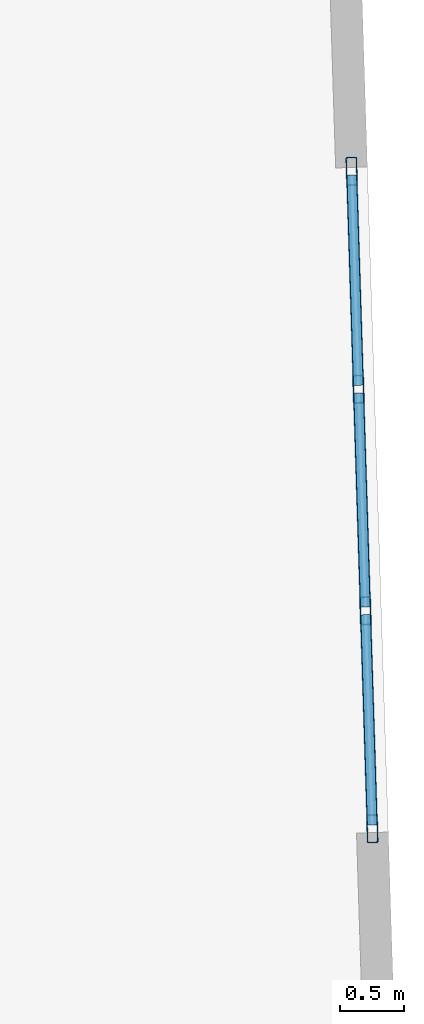
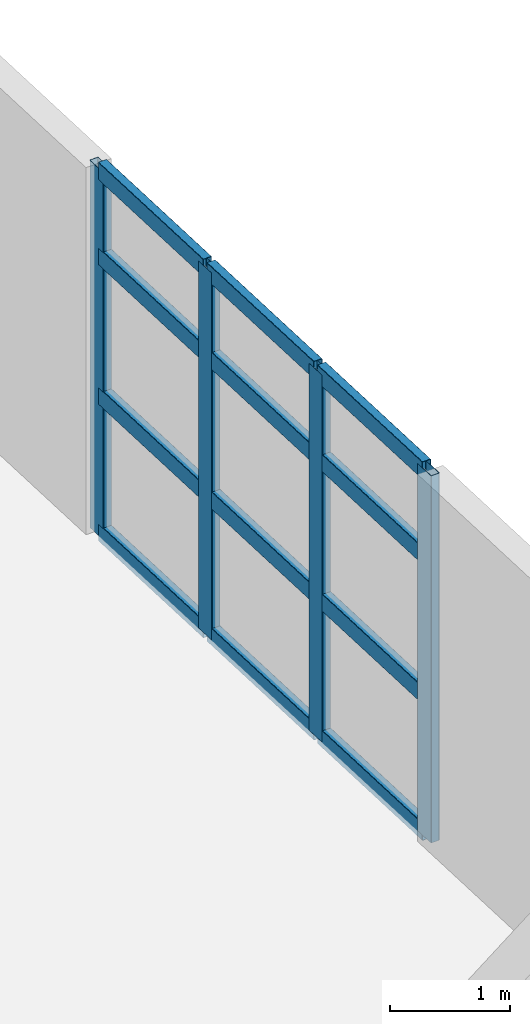
# One storey, part 6 of 18: 16 members, 1 element without a shape of its own.
"""IFC4 building model written with IfcOpenShell, lengths in metres."""

import ifcopenshell
import ifcopenshell.guid

model = None  # the IFC model being written
_history = None  # IfcOwnerHistory: only IFC2X3 demands one
_inside = {}  # id of a spatial element -> (the spatial element, [elements in it])
_under = {}  # id of a project, library or spatial element -> (it, [spatial elements below it])
_declared = {}  # id of a project -> (the project, [libraries it declares])
_typed = {}  # id of a type object -> (the type object, [elements of that type])
_made_of = {}  # id of a material, layer set ... -> (it, [elements and type objects made of it])


def new_model(schema):
    """Start an empty IFC model of exactly this schema.

    Asked for "IFC4X3", IfcOpenShell would pick the latest addendum, in which some entities
    have other attributes; the version numbers below select the first issue.
    IFC2X3 requires an IfcOwnerHistory on every rooted entity: one is made here for all.
    """
    global model, _history
    if schema == "IFC4X3":
        model = ifcopenshell.file(schema_version=(4, 3, 0, 0))
    else:
        model = ifcopenshell.file(schema=schema)
    _inside.clear()
    _under.clear()
    _declared.clear()
    _typed.clear()
    _made_of.clear()
    _history = None
    if model.schema == "IFC2X3":
        org = make("IfcOrganization", Name="unknown")
        user = make(
            "IfcPersonAndOrganization",
            ThePerson=make("IfcPerson", FamilyName="unknown"),
            TheOrganization=org,
        )
        app = make(
            "IfcApplication",
            ApplicationDeveloper=org,
            Version="unknown",
            ApplicationFullName="unknown",
            ApplicationIdentifier="unknown",
        )
        _history = make(
            "IfcOwnerHistory",
            OwningUser=user,
            OwningApplication=app,
            ChangeAction="ADDED",
            CreationDate=0,
        )
    return model


def make(cls, **values):
    """One entity of the class cls with the attributes given. An attribute that is None is left unset."""
    return model.create_entity(
        cls, **{name: value for name, value in values.items() if value is not None}
    )


def rooted(cls, **values):
    """An entity with a GlobalId (a new one), such as an element, a storey or a relation."""
    return make(cls, GlobalId=ifcopenshell.guid.new(), OwnerHistory=_history, **values)


def si_unit(unit_type, name, prefix=None):
    """IfcSIUnit, for example si_unit("LENGTHUNIT", "METRE", prefix="MILLI")."""
    return make("IfcSIUnit", UnitType=unit_type, Prefix=prefix, Name=name)


def assignment(units):
    """IfcUnitAssignment: the units of a project."""
    return None if units is None else make("IfcUnitAssignment", Units=units)


def point(xyz):
    """IfcCartesianPoint."""
    return None if xyz is None else make("IfcCartesianPoint", Coordinates=xyz)


def direction(xyz):
    """IfcDirection."""
    return None if xyz is None else make("IfcDirection", DirectionRatios=xyz)


def frame(location, z_axis=None, x_axis=None):
    """IfcAxis2Placement3D, a coordinate frame: its origin and axes. An axis left out is left unset."""
    return make(
        "IfcAxis2Placement3D",
        Location=point(location),
        Axis=direction(z_axis),
        RefDirection=direction(x_axis),
    )


def frame_2d(location, x_axis=None):
    """IfcAxis2Placement2D, a coordinate frame in the plane: its origin and x axis."""
    return make(
        "IfcAxis2Placement2D", Location=point(location), RefDirection=direction(x_axis)
    )


def origin():
    """The frame at (0, 0, 0) with its axes left unset."""
    return frame((0.0, 0.0, 0.0))


def origin_2d():
    """The frame at (0, 0) in the plane with its x axis left unset."""
    return frame_2d((0.0, 0.0))


def place(relative_to, where):
    """IfcLocalPlacement: puts the frame where relative to a parent placement (None: the world)."""
    return make(
        "IfcLocalPlacement", PlacementRelTo=relative_to, RelativePlacement=where
    )


def context(
    kind, dimensions, precision=None, world=None, true_north=None, identifier=None
):
    """IfcGeometricRepresentationContext, for example the 3D "Model" context."""
    return make(
        "IfcGeometricRepresentationContext",
        ContextIdentifier=identifier,
        ContextType=kind,
        CoordinateSpaceDimension=dimensions,
        Precision=precision,
        WorldCoordinateSystem=world,
        TrueNorth=true_north,
    )


def subcontext(parent, identifier, kind, view, scale=None):
    """IfcGeometricRepresentationSubContext, for example "Body" below "Model"."""
    return make(
        "IfcGeometricRepresentationSubContext",
        ContextIdentifier=identifier,
        ContextType=kind,
        ParentContext=parent,
        TargetScale=scale,
        TargetView=view,
    )


def project(units=None, contexts=None):
    """IfcProject with its units and contexts."""
    return rooted(
        "IfcProject",
        Name="project",
        RepresentationContexts=contexts,
        UnitsInContext=assignment(units),
    )


def spatial(cls, under=None, at=None, **own):
    """A site, building, storey or space (cls), placed at a placement, below another one or the project."""
    s = rooted(cls, ObjectPlacement=at, **own)
    if under is not None:
        _under.setdefault(under.id(), (under, []))[1].append(s)
    return s


def profile(cls, at=None, kind="AREA", **sizes):
    """A parametric profile (cls). Its sizes go by their IFC names, for example OverallWidth=200.0."""
    return make(cls, ProfileType=kind, Position=at, **sizes)


def hollow_rectangle(**sizes):
    """IfcRectangleHollowProfileDef."""
    return profile("IfcRectangleHollowProfileDef", **sizes)


def extrude(swept, where, along, depth):
    """IfcExtrudedAreaSolid: the profile swept, set in the frame where, extruded along a direction by depth."""
    return make(
        "IfcExtrudedAreaSolid",
        SweptArea=swept,
        Position=where,
        ExtrudedDirection=direction(along),
        Depth=depth,
    )


def shape(context_of_items, identifier, shape_type, items):
    """IfcShapeRepresentation: the items that make up one representation, for example the "Body"."""
    return make(
        "IfcShapeRepresentation",
        ContextOfItems=context_of_items,
        RepresentationIdentifier=identifier,
        RepresentationType=shape_type,
        Items=items,
    )


def material(Name=None, Category=None):
    """IfcMaterial."""
    return make("IfcMaterial", Name=Name, Category=Category)


def layer(
    of_material, thickness, ventilated=None, Name=None, Category=None, Priority=None
):
    """IfcMaterialLayer: one layer of a wall or slab, of a material (None: an air gap)."""
    return make(
        "IfcMaterialLayer",
        Material=of_material,
        LayerThickness=thickness,
        IsVentilated=ventilated,
        Name=Name,
        Category=Category,
        Priority=Priority,
    )


def layer_set(layers, Name=None):
    """IfcMaterialLayerSet."""
    return make("IfcMaterialLayerSet", MaterialLayers=layers, LayerSetName=Name)


def material_profile(
    of_material, cross_section, Name=None, Category=None, Priority=None
):
    """IfcMaterialProfile: a cross section and its material."""
    return make(
        "IfcMaterialProfile",
        Name=Name,
        Material=of_material,
        Profile=cross_section,
        Priority=Priority,
        Category=Category,
    )


def profile_set(profiles, Name=None, composite=None):
    """IfcMaterialProfileSet."""
    return make(
        "IfcMaterialProfileSet",
        Name=Name,
        MaterialProfiles=profiles,
        CompositeProfile=composite,
    )


def made_of(thing, what):
    """Note that an element or type object is made of a material, layer set ...; save() writes the relation."""
    if what is not None:
        _made_of.setdefault(what.id(), (what, []))[1].append(thing)
    return thing


def type_object(cls, material=None, **own):
    """A type object (cls), such as IfcWallType, which elements share."""
    return made_of(rooted(cls, **own), material)


def element(
    cls,
    number,
    at=None,
    inside=None,
    cuts=None,
    type_object=None,
    material=None,
    context=None,
    identifier="Body",
    shape_type=None,
    held_by="IfcProductDefinitionShape",
    body=None,
    shapes=None,
    **own,
):
    """One element of the class cls, such as IfcWall. Its Tag is "e" and its number.

    at: its placement. inside: the storey or other place that contains it. cuts: it is an
    opening in that element (IfcRelVoidsElement). A single representation is given by context,
    identifier, shape_type and body (its items); several are given by shapes. held_by: the class
    of the entity that holds the representations. save() writes the other relations.
    """
    e = rooted(cls, Tag="e%d" % number, ObjectPlacement=at, **own)
    if body is not None:
        shapes = [shape(context, identifier, shape_type, body)]
    if shapes is not None:
        e.Representation = make(held_by, Representations=shapes)
    if inside is not None:
        _inside.setdefault(inside.id(), (inside, []))[1].append(e)
    if cuts is not None:
        rooted(
            "IfcRelVoidsElement", RelatingBuildingElement=cuts, RelatedOpeningElement=e
        )
    if type_object is not None:
        _typed.setdefault(type_object.id(), (type_object, []))[1].append(e)
    return made_of(e, material)


def aggregate(whole, parts):
    """IfcRelAggregates: a whole, such as a stair, and the parts it consists of."""
    return rooted("IfcRelAggregates", RelatingObject=whole, RelatedObjects=parts)


def save(model, path):
    """Write the relations noted so far, then the file.

    IfcRelAggregates (storeys below a building ...), IfcRelContainedInSpatialStructure (elements
    in a storey), IfcRelDefinesByType, IfcRelAssociatesMaterial and IfcRelDeclares: one each for
    every whole, place, type object, material and project.
    """
    for whole, parts in _under.values():
        aggregate(whole, parts)
    for where, things in _inside.values():
        rooted(
            "IfcRelContainedInSpatialStructure",
            RelatedElements=things,
            RelatingStructure=where,
        )
    for kind, things in _typed.values():
        rooted("IfcRelDefinesByType", RelatedObjects=things, RelatingType=kind)
    for what, things in _made_of.values():
        rooted("IfcRelAssociatesMaterial", RelatedObjects=things, RelatingMaterial=what)
    for by, libraries in _declared.values():
        rooted("IfcRelDeclares", RelatingContext=by, RelatedDefinitions=libraries)
    model.write(path)


model = new_model("IFC4")

# Units and contexts
model_context = context("Model", 3, precision=1e-05, world=origin(), true_north=direction((0.0, 1.0)))
body_context = subcontext(model_context, "Body", "Model", "MODEL_VIEW")
ifc_project = project(units=[si_unit("LENGTHUNIT", "METRE"), si_unit("AREAUNIT", "SQUARE_METRE"), si_unit("VOLUMEUNIT", "CUBIC_METRE"), si_unit("PLANEANGLEUNIT", "RADIAN"), si_unit("MASSUNIT", "GRAM", prefix="KILO")], contexts=[model_context])

# Site, building, storey
site_placement = place(None, origin())
site = spatial("IfcSite", under=ifc_project, at=site_placement, CompositionType="ELEMENT")
building_placement = place(site_placement, origin())
building = spatial("IfcBuilding", under=site, at=building_placement, Name="Qingluan Cross Belvedere", CompositionType="ELEMENT")
storey_placement = place(building_placement, frame((0.0, 0.0, 299.39990234375)))
storey = spatial("IfcBuildingStorey", under=building, at=storey_placement, Name="L74", CompositionType="ELEMENT", Elevation=299.39990234375)

# Curtain wall, members
ifc_material_1 = material(Name="Thermally broken aluminium and Low-E glass", Category="aluminium")
ifc_layer = layer(ifc_material_1, 0.179931640625, Name="ObservationCW_DamperGallery")
ifc_layer_set = layer_set([ifc_layer], Name="Thermally broken aluminium and Low-E glass")
curtain_wall_type = type_object("IfcCurtainWallType", Name="ObservationCW_DamperGallery", PredefinedType="USERDEFINED", material=ifc_layer_set)
curtain_wall_placement = place(storey_placement, origin())
curtain_wall = element("IfcCurtainWall", 1, at=curtain_wall_placement, inside=storey, type_object=curtain_wall_type, Name="ObservationCW_DamperGallery run env:cw:L74:E", ObjectType="OBSERVATION GLAZING WALL", PredefinedType="USERDEFINED")
ifc_material_2 = material(Name="Aluminium alloy 6063-T6", Category="aluminium")
ifc_material_profile_1 = material_profile(ifc_material_2, hollow_rectangle(XDim=0.0849609375, YDim=0.219970703125, WallThickness=0.0048828125, InnerFilletRadius=0.0048828125, OuterFilletRadius=0.010009765625, at=origin_2d()), Name="CWM220x85x5")
ifc_profile_set_1 = profile_set([ifc_material_profile_1], Name="Aluminium alloy 6063-T6")
member_type_1 = type_object("IfcMemberType", Name="CWMullion_220", PredefinedType="MULLION", material=ifc_profile_set_1)
member_1_placement = place(storey_placement, frame((23.050048828125, -1.864990234375, 0.0), z_axis=(0.0, 0.0, 1.0), x_axis=(-0.999506357802, -0.031417204084, 0.0)))
member_1 = element("IfcMember", 2, at=member_1_placement, type_object=member_type_1, Name="CW-C1 mullion 1", PredefinedType="MULLION", context=body_context, shape_type="SweptSolid", body=[
    extrude(hollow_rectangle(XDim=0.0849609375, YDim=0.219970703125, WallThickness=0.0048828125, InnerFilletRadius=0.0048828125, OuterFilletRadius=0.010009765625, at=origin_2d()), origin(), (0.0, 0.0, 1.0), 3.72998046875),
])
member_2_placement = place(storey_placement, frame((22.99609375, -0.150390625, 0.0), z_axis=(0.0, 0.0, 1.0), x_axis=(-0.999506357802, -0.031417204084, 0.0)))
member_2 = element("IfcMember", 3, at=member_2_placement, type_object=member_type_1, Name="CW-C1 mullion 2", PredefinedType="MULLION", context=body_context, shape_type="SweptSolid", body=[
    extrude(hollow_rectangle(XDim=0.0849609375, YDim=0.219970703125, WallThickness=0.0048828125, InnerFilletRadius=0.0048828125, OuterFilletRadius=0.010009765625, at=origin_2d()), origin(), (0.0, 0.0, 1.0), 3.72998046875),
])
member_3_placement = place(storey_placement, frame((22.941162109375, 1.593994140625, 0.0), z_axis=(0.0, 0.0, 1.0), x_axis=(-0.999506357802, -0.031417204084, 0.0)))
member_3 = element("IfcMember", 4, at=member_3_placement, type_object=member_type_1, Name="CW-C1 mullion 3", PredefinedType="MULLION", context=body_context, shape_type="SweptSolid", body=[
    extrude(hollow_rectangle(XDim=0.0849609375, YDim=0.219970703125, WallThickness=0.0048828125, InnerFilletRadius=0.0048828125, OuterFilletRadius=0.010009765625, at=origin_2d()), origin(), (0.0, 0.0, 1.0), 3.72998046875),
])
member_4_placement = place(storey_placement, frame((22.887451171875, 3.30859375, 0.0), z_axis=(0.0, 0.0, 1.0), x_axis=(-0.999506357802, -0.031417204084, 0.0)))
member_4 = element("IfcMember", 5, at=member_4_placement, type_object=member_type_1, Name="CW-C1 mullion 4", PredefinedType="MULLION", context=body_context, shape_type="SweptSolid", body=[
    extrude(hollow_rectangle(XDim=0.0849609375, YDim=0.219970703125, WallThickness=0.0048828125, InnerFilletRadius=0.0048828125, OuterFilletRadius=0.010009765625, at=origin_2d()), origin(), (0.0, 0.0, 1.0), 3.72998046875),
])
ifc_material_3 = material(Name="Aluminium alloy 6063-T6", Category="aluminium")
ifc_material_profile_2 = material_profile(ifc_material_3, hollow_rectangle(XDim=0.0849609375, YDim=0.179931640625, WallThickness=0.00390625, InnerFilletRadius=0.00390625, OuterFilletRadius=0.008056640625, at=origin_2d()), Name="CWT180x85x4")
ifc_profile_set_2 = profile_set([ifc_material_profile_2], Name="Aluminium alloy 6063-T6")
member_type_2 = type_object("IfcMemberType", Name="CWTransom_180", PredefinedType="USERDEFINED", material=ifc_profile_set_2)
member_5_placement = place(storey_placement, frame((23.049072265625, -1.8349609375, 0.030029296875), z_axis=(-0.031414323963, 0.999506448328, 0.0), x_axis=(-0.999506448328, -0.031414323963, 0.0)))
member_5 = element("IfcMember", 6, at=member_5_placement, type_object=member_type_2, Name="CW-C1 transom 1.1", ObjectType="TRANSOM", PredefinedType="USERDEFINED", context=body_context, shape_type="SweptSolid", body=[
    extrude(hollow_rectangle(XDim=0.0849609375, YDim=0.179931640625, WallThickness=0.00390625, InnerFilletRadius=0.00390625, OuterFilletRadius=0.008056640625, at=origin_2d()), origin(), (0.0, 0.0, 1.0), 1.6552734375),
])
member_6_placement = place(storey_placement, frame((23.049072265625, -1.8349609375, 1.4169921875), z_axis=(-0.031414323963, 0.999506448328, 0.0), x_axis=(-0.999506448328, -0.031414323963, 0.0)))
member_6 = element("IfcMember", 7, at=member_6_placement, type_object=member_type_2, Name="CW-C1 transom 1.2", ObjectType="TRANSOM", PredefinedType="USERDEFINED", context=body_context, shape_type="SweptSolid", body=[
    extrude(hollow_rectangle(XDim=0.0849609375, YDim=0.179931640625, WallThickness=0.00390625, InnerFilletRadius=0.00390625, OuterFilletRadius=0.008056640625, at=origin_2d()), origin(), (0.0, 0.0, 1.0), 1.6552734375),
])
member_7_placement = place(storey_placement, frame((23.049072265625, -1.8349609375, 2.835205078125), z_axis=(-0.031414323963, 0.999506448328, 0.0), x_axis=(-0.999506448328, -0.031414323963, 0.0)))
member_7 = element("IfcMember", 8, at=member_7_placement, type_object=member_type_2, Name="CW-C1 transom 1.3", ObjectType="TRANSOM", PredefinedType="USERDEFINED", context=body_context, shape_type="SweptSolid", body=[
    extrude(hollow_rectangle(XDim=0.0849609375, YDim=0.179931640625, WallThickness=0.00390625, InnerFilletRadius=0.00390625, OuterFilletRadius=0.008056640625, at=origin_2d()), origin(), (0.0, 0.0, 1.0), 1.6552734375),
])
member_8_placement = place(storey_placement, frame((23.049072265625, -1.8349609375, 3.7001953125), z_axis=(-0.031414323963, 0.999506448328, 0.0), x_axis=(-0.999506448328, -0.031414323963, 0.0)))
member_8 = element("IfcMember", 9, at=member_8_placement, type_object=member_type_2, Name="CW-C1 transom 1.4", ObjectType="TRANSOM", PredefinedType="USERDEFINED", context=body_context, shape_type="SweptSolid", body=[
    extrude(hollow_rectangle(XDim=0.0849609375, YDim=0.179931640625, WallThickness=0.00390625, InnerFilletRadius=0.00390625, OuterFilletRadius=0.008056640625, at=origin_2d()), origin(), (0.0, 0.0, 1.0), 1.6552734375),
])
member_9_placement = place(storey_placement, frame((22.9951171875, -0.120361328125, 0.030029296875), z_axis=(-0.031438286099, 0.999505694915, 0.0), x_axis=(-0.999505694915, -0.031438286099, 0.0)))
member_9 = element("IfcMember", 10, at=member_9_placement, type_object=member_type_2, Name="CW-C1 transom 2.1", ObjectType="TRANSOM", PredefinedType="USERDEFINED", context=body_context, shape_type="SweptSolid", body=[
    extrude(hollow_rectangle(XDim=0.0849609375, YDim=0.179931640625, WallThickness=0.00390625, InnerFilletRadius=0.00390625, OuterFilletRadius=0.008056640625, at=origin_2d()), origin(), (0.0, 0.0, 1.0), 1.68505859375),
])
member_10_placement = place(storey_placement, frame((22.9951171875, -0.120361328125, 1.4169921875), z_axis=(-0.031438286099, 0.999505694915, 0.0), x_axis=(-0.999505694915, -0.031438286099, 0.0)))
member_10 = element("IfcMember", 11, at=member_10_placement, type_object=member_type_2, Name="CW-C1 transom 2.2", ObjectType="TRANSOM", PredefinedType="USERDEFINED", context=body_context, shape_type="SweptSolid", body=[
    extrude(hollow_rectangle(XDim=0.0849609375, YDim=0.179931640625, WallThickness=0.00390625, InnerFilletRadius=0.00390625, OuterFilletRadius=0.008056640625, at=origin_2d()), origin(), (0.0, 0.0, 1.0), 1.68505859375),
])
member_11_placement = place(storey_placement, frame((22.9951171875, -0.120361328125, 2.835205078125), z_axis=(-0.031438286099, 0.999505694915, 0.0), x_axis=(-0.999505694915, -0.031438286099, 0.0)))
member_11 = element("IfcMember", 12, at=member_11_placement, type_object=member_type_2, Name="CW-C1 transom 2.3", ObjectType="TRANSOM", PredefinedType="USERDEFINED", context=body_context, shape_type="SweptSolid", body=[
    extrude(hollow_rectangle(XDim=0.0849609375, YDim=0.179931640625, WallThickness=0.00390625, InnerFilletRadius=0.00390625, OuterFilletRadius=0.008056640625, at=origin_2d()), origin(), (0.0, 0.0, 1.0), 1.68505859375),
])
member_12_placement = place(storey_placement, frame((22.9951171875, -0.120361328125, 3.7001953125), z_axis=(-0.031438286099, 0.999505694915, 0.0), x_axis=(-0.999505694915, -0.031438286099, 0.0)))
member_12 = element("IfcMember", 13, at=member_12_placement, type_object=member_type_2, Name="CW-C1 transom 2.4", ObjectType="TRANSOM", PredefinedType="USERDEFINED", context=body_context, shape_type="SweptSolid", body=[
    extrude(hollow_rectangle(XDim=0.0849609375, YDim=0.179931640625, WallThickness=0.00390625, InnerFilletRadius=0.00390625, OuterFilletRadius=0.008056640625, at=origin_2d()), origin(), (0.0, 0.0, 1.0), 1.68505859375),
])
member_13_placement = place(storey_placement, frame((22.940185546875, 1.6240234375, 0.030029296875), z_axis=(-0.031414323963, 0.999506448328, 0.0), x_axis=(-0.999506448328, -0.031414323963, 0.0)))
member_13 = element("IfcMember", 14, at=member_13_placement, type_object=member_type_2, Name="CW-C1 transom 3.1", ObjectType="TRANSOM", PredefinedType="USERDEFINED", context=body_context, shape_type="SweptSolid", body=[
    extrude(hollow_rectangle(XDim=0.0849609375, YDim=0.179931640625, WallThickness=0.00390625, InnerFilletRadius=0.00390625, OuterFilletRadius=0.008056640625, at=origin_2d()), origin(), (0.0, 0.0, 1.0), 1.6552734375),
])
member_14_placement = place(storey_placement, frame((22.940185546875, 1.6240234375, 1.4169921875), z_axis=(-0.031414323963, 0.999506448328, 0.0), x_axis=(-0.999506448328, -0.031414323963, 0.0)))
member_14 = element("IfcMember", 15, at=member_14_placement, type_object=member_type_2, Name="CW-C1 transom 3.2", ObjectType="TRANSOM", PredefinedType="USERDEFINED", context=body_context, shape_type="SweptSolid", body=[
    extrude(hollow_rectangle(XDim=0.0849609375, YDim=0.179931640625, WallThickness=0.00390625, InnerFilletRadius=0.00390625, OuterFilletRadius=0.008056640625, at=origin_2d()), origin(), (0.0, 0.0, 1.0), 1.6552734375),
])
member_15_placement = place(storey_placement, frame((22.940185546875, 1.6240234375, 2.835205078125), z_axis=(-0.031414323963, 0.999506448328, 0.0), x_axis=(-0.999506448328, -0.031414323963, 0.0)))
member_15 = element("IfcMember", 16, at=member_15_placement, type_object=member_type_2, Name="CW-C1 transom 3.3", ObjectType="TRANSOM", PredefinedType="USERDEFINED", context=body_context, shape_type="SweptSolid", body=[
    extrude(hollow_rectangle(XDim=0.0849609375, YDim=0.179931640625, WallThickness=0.00390625, InnerFilletRadius=0.00390625, OuterFilletRadius=0.008056640625, at=origin_2d()), origin(), (0.0, 0.0, 1.0), 1.6552734375),
])
member_16_placement = place(storey_placement, frame((22.940185546875, 1.6240234375, 3.7001953125), z_axis=(-0.031414323963, 0.999506448328, 0.0), x_axis=(-0.999506448328, -0.031414323963, 0.0)))
member_16 = element("IfcMember", 17, at=member_16_placement, type_object=member_type_2, Name="CW-C1 transom 3.4", ObjectType="TRANSOM", PredefinedType="USERDEFINED", context=body_context, shape_type="SweptSolid", body=[
    extrude(hollow_rectangle(XDim=0.0849609375, YDim=0.179931640625, WallThickness=0.00390625, InnerFilletRadius=0.00390625, OuterFilletRadius=0.008056640625, at=origin_2d()), origin(), (0.0, 0.0, 1.0), 1.6552734375),
])
aggregate(curtain_wall, [member_1, member_2, member_3, member_4, member_5, member_6, member_7, member_8, member_9, member_10, member_11, member_12, member_13, member_14, member_15, member_16])

save(model, "model.ifc")
